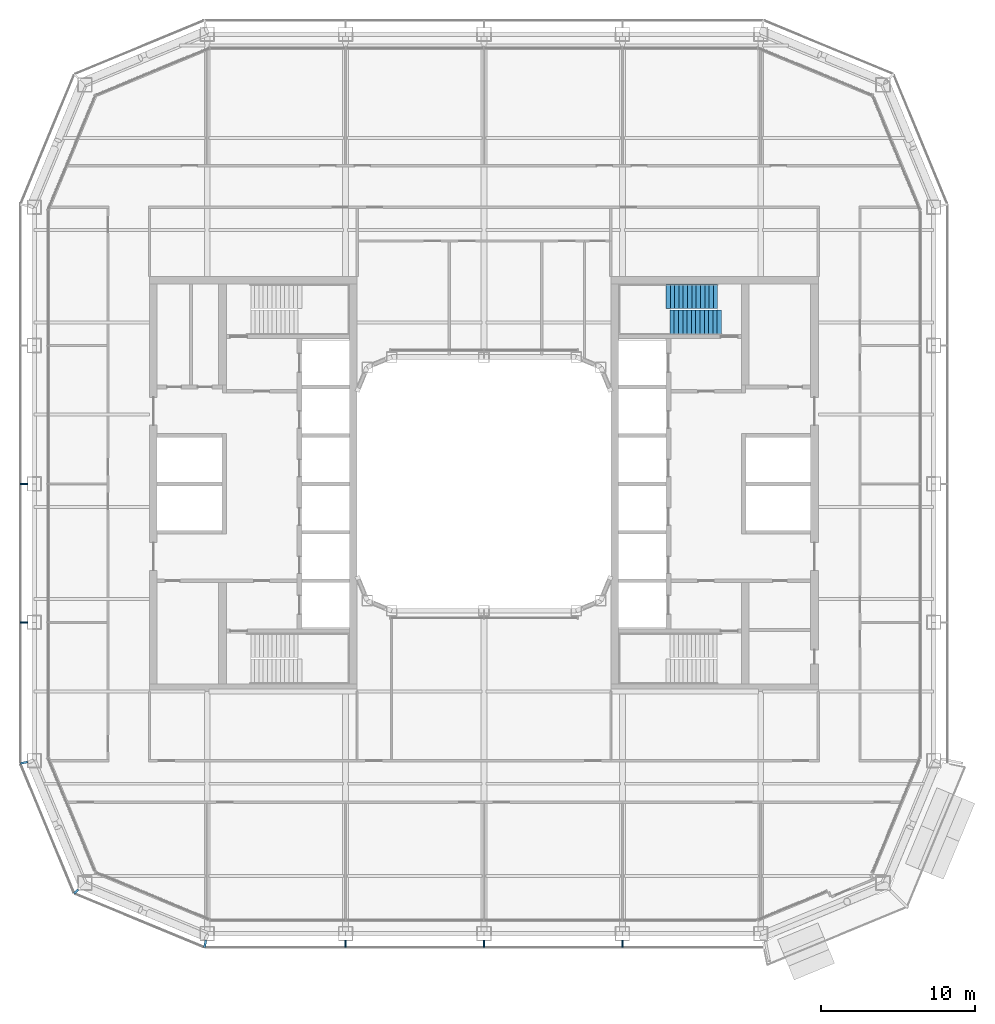
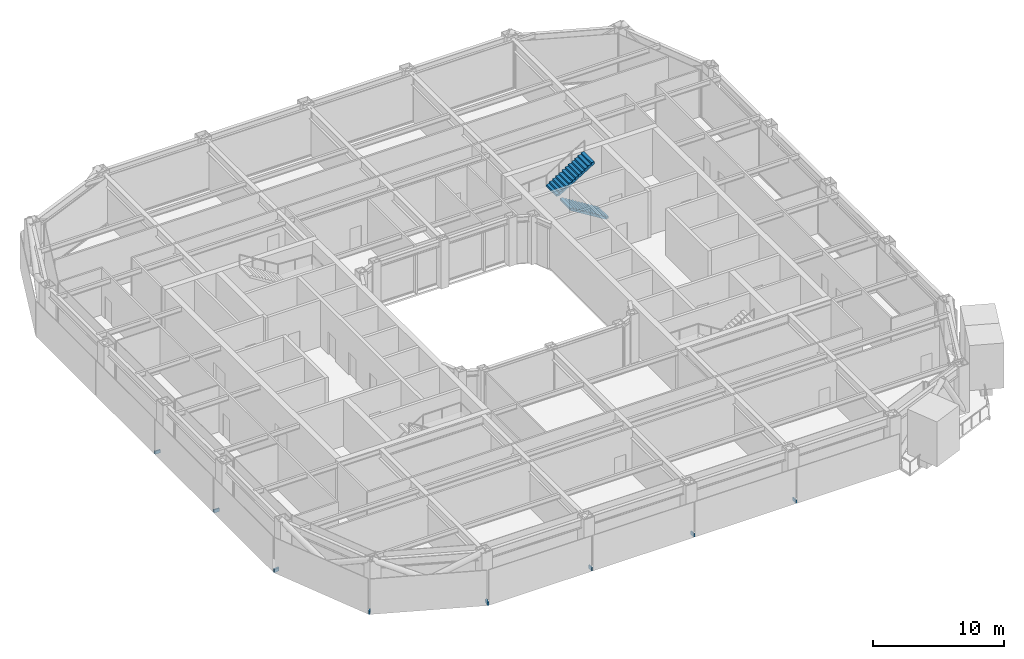
# One storey, part 15 of 23: 8 discrete accessories, 2 stair flights, 1 element without a shape of its own.
"""IFC4 building model written with IfcOpenShell, lengths in metres."""

from ifc_helpers import new_model, si_unit, direction, frame, origin, origin_2d, place, context, subcontext, project, spatial, polyline, rectangle, outline, extrude, material, type_object, element, aggregate, save


model = new_model("IFC4")

# Units and contexts
model_context = context("Model", 3, precision=1e-05, world=origin(), true_north=direction((0.0, 1.0)))
body_context = subcontext(model_context, "Body", "Model", "MODEL_VIEW")
ifc_project = project(units=[si_unit("LENGTHUNIT", "METRE"), si_unit("AREAUNIT", "SQUARE_METRE"), si_unit("VOLUMEUNIT", "CUBIC_METRE"), si_unit("PLANEANGLEUNIT", "RADIAN"), si_unit("MASSUNIT", "GRAM", prefix="KILO")], contexts=[model_context])

# Site, building, storey
site_placement = place(None, origin())
site = spatial("IfcSite", under=ifc_project, at=site_placement, CompositionType="ELEMENT")
building_placement = place(site_placement, origin())
building = spatial("IfcBuilding", under=site, at=building_placement, Name="Siwar Civic Tower", CompositionType="ELEMENT")
storey_placement = place(building_placement, frame((0.0, 0.0, 127.199951171875)))
storey = spatial("IfcBuildingStorey", under=building, at=storey_placement, Name="L27", CompositionType="ELEMENT", Elevation=127.199951171875)

# Stair, stair flights
ifc_material_1 = material(Name="Concrete C40/50", Category="concrete")
stair_type = type_object("IfcStairType", Name="CORE-STAIR", PredefinedType="TWO_STRAIGHT_RUN_STAIR", material=ifc_material_1)
stair_placement = place(storey_placement, origin())
stair = element("IfcStair", 1, at=stair_placement, inside=storey, type_object=stair_type, Name="Exit stair ST3", PredefinedType="TWO_STRAIGHT_RUN_STAIR")
ifc_material_2 = material(Name="Concrete C40/50", Category="concrete")
stair_flight_type = type_object("IfcStairFlightType", Name="CORE-STAIR-FLIGHT", PredefinedType="STRAIGHT", material=ifc_material_2)
stair_flight_1_placement = place(storey_placement, frame((15.449951171875, 10.5, 0.0), z_axis=(0.0, 0.0, 1.0), x_axis=(-1.0, 0.0, 0.0)))
stair_flight_1 = element("IfcStairFlight", 2, at=stair_flight_1_placement, type_object=stair_flight_type, Name="ST3 flight 1", NumberOfRisers=13, NumberOfTreads=12, PredefinedType="STRAIGHT", RiserHeight=0.173076923, TreadLength=0.28, context=body_context, shape_type="SweptSolid", body=[
    extrude(outline(polyline([(0.0, 0.0), (0.0, 0.173095703125), (0.280029296875, 0.173095703125), (0.280029296875, 0.34619140625), (0.56005859375, 0.34619140625), (0.56005859375, 0.519287109375), (0.840087890625, 0.519287109375), (0.840087890625, 0.6923828125), (1.1201171875, 0.6923828125), (1.1201171875, 0.865478515625), (1.39990234375, 0.865478515625), (1.39990234375, 1.03857421875), (1.679931640625, 1.03857421875), (1.679931640625, 1.21142578125), (1.9599609375, 1.21142578125), (1.9599609375, 1.384521484375), (2.239990234375, 1.384521484375), (2.239990234375, 1.5576171875), (2.52001953125, 1.5576171875), (2.52001953125, 1.730712890625), (2.800048828125, 1.730712890625), (2.800048828125, 1.90380859375), (3.080078125, 1.90380859375), (3.080078125, 2.076904296875), (3.360107421875, 2.076904296875), (3.360107421875, 2.25), (3.360107421875, 1.900634765625), (0.28515625, 0.0), (0.0, 0.0)])), frame((0.0, 0.800048828125, 0.0), z_axis=(0.0, -1.0, 0.0), x_axis=(1.0, 0.0, 0.0)), (0.0, 0.0, 1.0), 1.60009765625),
])
stair_flight_2_placement = place(storey_placement, frame((11.840087890625, 12.199951171875, 2.25), z_axis=(0.0, 0.0, 1.0), x_axis=(1.0, 0.0, 0.0)))
stair_flight_2 = element("IfcStairFlight", 3, at=stair_flight_2_placement, type_object=stair_flight_type, Name="ST3 flight 2", NumberOfRisers=13, NumberOfTreads=12, PredefinedType="STRAIGHT", RiserHeight=0.173076923, TreadLength=0.28, context=body_context, shape_type="SweptSolid", body=[
    extrude(outline(polyline([(0.0, 0.0), (0.0, 0.173095703125), (0.280029296875, 0.173095703125), (0.280029296875, 0.34619140625), (0.56005859375, 0.34619140625), (0.56005859375, 0.519287109375), (0.840087890625, 0.519287109375), (0.840087890625, 0.6923828125), (1.1201171875, 0.6923828125), (1.1201171875, 0.865478515625), (1.39990234375, 0.865478515625), (1.39990234375, 1.03857421875), (1.679931640625, 1.03857421875), (1.679931640625, 1.21142578125), (1.9599609375, 1.21142578125), (1.9599609375, 1.384521484375), (2.239990234375, 1.384521484375), (2.239990234375, 1.5576171875), (2.52001953125, 1.5576171875), (2.52001953125, 1.730712890625), (2.800048828125, 1.730712890625), (2.800048828125, 1.90380859375), (3.080078125, 1.90380859375), (3.080078125, 2.076904296875), (3.360107421875, 2.076904296875), (3.360107421875, 2.25), (3.360107421875, 1.900634765625), (0.28515625, 0.0), (0.0, 0.0)])), frame((0.0, 0.800048828125, 0.0), z_axis=(0.0, -1.0, 0.0), x_axis=(1.0, 0.0, 0.0)), (0.0, 0.0, 1.0), 1.60009765625),
])
aggregate(stair, [stair_flight_1, stair_flight_2])

# Discrete accessories
ifc_material_3 = material(Name="Stainless steel 316", Category="steel")
discrete_accessory_type = type_object("IfcDiscreteAccessoryType", Name="ENV-BRACKET", PredefinedType="BRACKET", material=ifc_material_3)
for number, where, z_axis, x_axis, name in (
    (4, (-9.0, -29.9150390625, -0.14990234375), (0.0, 0.0, 1.0), (0.0, -1.0, 0.0), "Bracket outer skin joint S-01"),
    (5, (0.0, -29.9150390625, -0.14990234375), (0.0, 0.0, 1.0), (0.0, -1.0, 0.0), "Bracket outer skin joint S-02"),
    (6, (9.0, -29.9150390625, -0.14990234375), (0.0, 0.0, 1.0), (0.0, -1.0, 0.0), "Bracket outer skin joint S-03"),
):
    element("IfcDiscreteAccessory", number, at=place(storey_placement, frame(where, z_axis=z_axis, x_axis=x_axis)), inside=storey, type_object=discrete_accessory_type, Name=name, PredefinedType="BRACKET", context=body_context, shape_type="SweptSolid", body=[
        extrude(rectangle(XDim=0.469970703125, YDim=0.10009765625, at=origin_2d()), origin(), (0.0, 0.0, 1.0), 0.300048828125),
    ])
for number, where, z_axis, x_axis, name in (
    (7, (-18.13232421875, -29.915283203125, -0.14990234375), (0.0, 0.0, 1.0), (-0.195090322016, -0.980785280403, 0.0), "Bracket outer skin joint V00"),
    (8, (-29.915283203125, -18.13232421875, -0.14990234375), (0.0, 0.0, 1.0), (-0.980785280403, -0.195090322016, 0.0), "Bracket outer skin joint V10"),
):
    element("IfcDiscreteAccessory", number, at=place(storey_placement, frame(where, z_axis=z_axis, x_axis=x_axis)), inside=storey, type_object=discrete_accessory_type, Name=name, PredefinedType="BRACKET", context=body_context, shape_type="SweptSolid", body=[
        extrude(rectangle(XDim=0.478759765625, YDim=0.13720703125, at=origin_2d()), origin(), (0.0, 0.0, 1.0), 0.300048828125),
    ])
discrete_accessory_placement = place(storey_placement, frame((-26.517333984375, -26.517333984375, -0.14990234375), z_axis=(0.0, 0.0, 1.0), x_axis=(-0.707106781187, -0.707106781187, 0.0)))
element("IfcDiscreteAccessory", 9, at=discrete_accessory_placement, inside=storey, type_object=discrete_accessory_type, Name="Bracket outer skin joint V11", PredefinedType="BRACKET", context=body_context, shape_type="SweptSolid", body=[
    extrude(rectangle(XDim=0.357666015625, YDim=0.12939453125, at=origin_2d()), origin(), (0.0, 0.0, 1.0), 0.300048828125),
])
for number, where, z_axis, x_axis, name in (
    (10, (-29.9150390625, 0.0, -0.14990234375), (0.0, 0.0, 1.0), (-1.0, 0.0, 0.0), "Bracket outer skin joint W-02"),
    (11, (-29.9150390625, -9.0, -0.14990234375), (0.0, 0.0, 1.0), (-1.0, 0.0, 0.0), "Bracket outer skin joint W-03"),
):
    element("IfcDiscreteAccessory", number, at=place(storey_placement, frame(where, z_axis=z_axis, x_axis=x_axis)), inside=storey, type_object=discrete_accessory_type, Name=name, PredefinedType="BRACKET", context=body_context, shape_type="SweptSolid", body=[
        extrude(rectangle(XDim=0.469970703125, YDim=0.10009765625, at=origin_2d()), origin(), (0.0, 0.0, 1.0), 0.300048828125),
    ])

save(model, "model.ifc")
